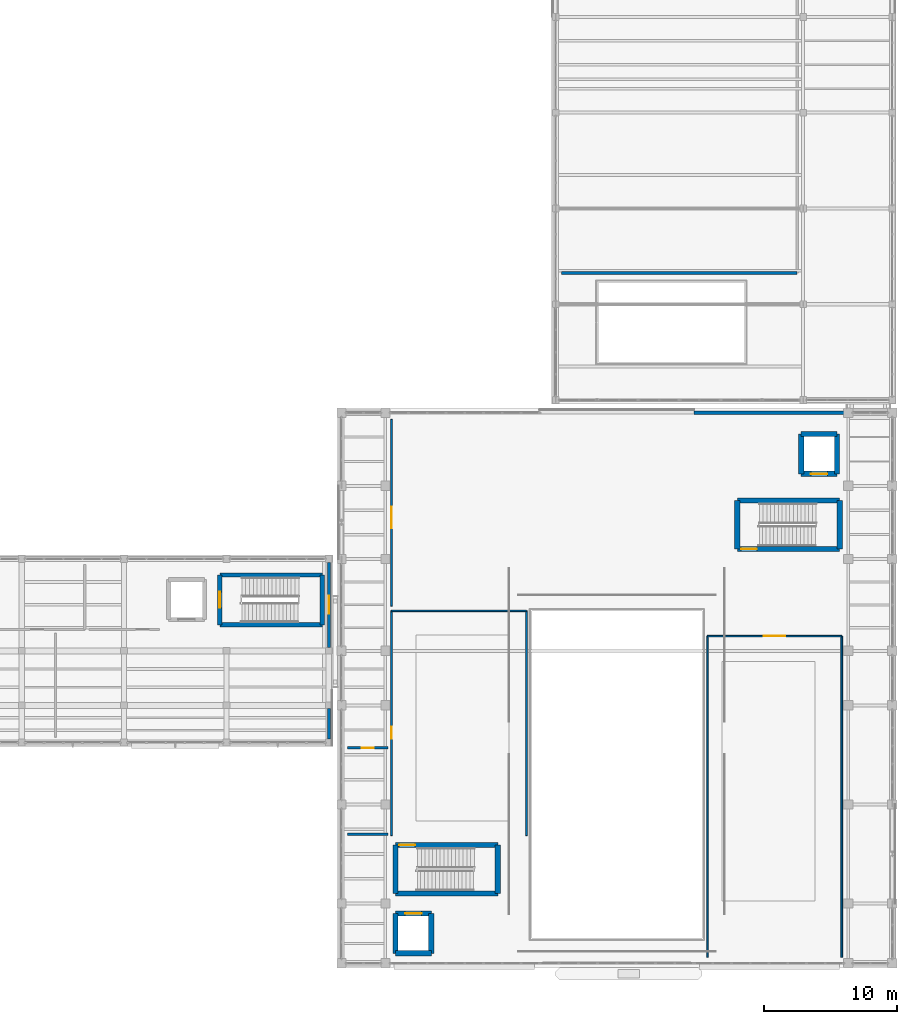
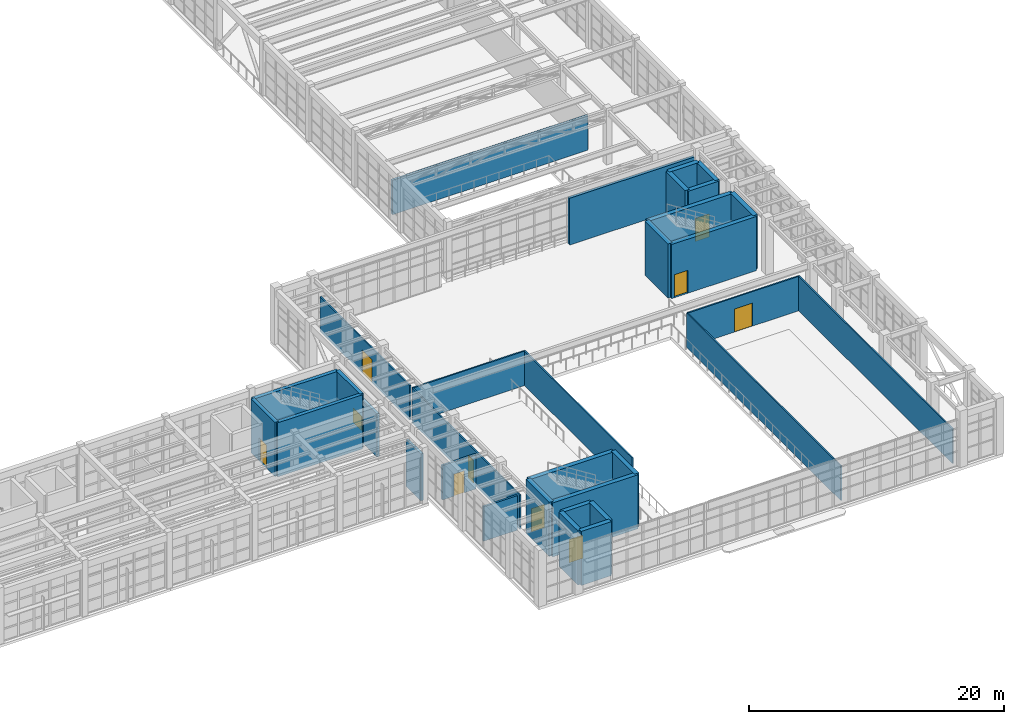
# One storey, part 92 of 103: 33 walls, 9 doors, 1 window, 10 openings.
"""IFC4 building model written with IfcOpenShell, lengths in metres."""

from ifc_helpers import new_model, si_unit, direction, frame, frame_2d, origin, place, context, subcontext, project, spatial, rectangle, extrude, material, layer, layer_set, type_object, element, fill, save


model = new_model("IFC4")

# Units and contexts
model_context = context("Model", 3, precision=1e-05, world=origin(), true_north=direction((0.0, 1.0)))
body_context = subcontext(model_context, "Body", "Model", "MODEL_VIEW")
ifc_project = project(units=[si_unit("LENGTHUNIT", "METRE"), si_unit("AREAUNIT", "SQUARE_METRE"), si_unit("VOLUMEUNIT", "CUBIC_METRE"), si_unit("PLANEANGLEUNIT", "RADIAN"), si_unit("MASSUNIT", "GRAM", prefix="KILO")], contexts=[model_context])

# Site, building, storey
site_placement = place(None, origin())
site = spatial("IfcSite", under=ifc_project, at=site_placement, CompositionType="ELEMENT")
building_placement = place(site_placement, origin())
building = spatial("IfcBuilding", under=site, at=building_placement, Name="Candilejo Ridge Gondola Terminal", CompositionType="ELEMENT")
storey_placement = place(building_placement, frame((0.0, 0.0, 9.0)))
storey = spatial("IfcBuildingStorey", under=building, at=storey_placement, Name="L02", CompositionType="ELEMENT", Elevation=9.0)

# Wall, opening, window
ifc_material_1 = material(Name="Concrete C20/25 masonry blockwork (f'm 14 MPa)", Category="masonry")
ifc_layer_1 = layer(ifc_material_1, 0.219970703125)
ifc_layer_set_1 = layer_set([ifc_layer_1], Name="ARC-EXT-WALL-220")
wall_type_1 = type_object("IfcWallType", Name="ARC-EXT-WALL-220", PredefinedType="STANDARD", material=ifc_layer_set_1)
wall_1_placement = place(storey_placement, frame((132.949951171875, 36.449951171875, 0.0), z_axis=(0.0, 0.0, 1.0), x_axis=(0.0, -1.0, 0.0)))
wall_1 = element("IfcWall", 1, at=wall_1_placement, inside=storey, type_object=wall_type_1, Name="Exterior facade wall EW-V3-L02-080", PredefinedType="STANDARD", context=body_context, shape_type="SweptSolid", body=[
    extrude(rectangle(XDim=6.39990234375, YDim=0.219970703125, at=frame_2d((3.199951171875, 0.0))), origin(), (0.0, 0.0, 1.0), 4.139892578125),
])
opening_1_placement = place(wall_1_placement, frame((2.52490234375, 0.0, 0.97998046875)))
opening_1 = element("IfcOpeningElement", 2, at=opening_1_placement, cuts=wall_1, Name="Opening WN-03C", PredefinedType="OPENING", context=body_context, shape_type="SweptSolid", body=[
    extrude(rectangle(XDim=1.35009765625, YDim=1.35009765625, at=frame_2d((0.675048828125, 0.675048828125))), frame((0.0, 0.119873046875, 0.0), z_axis=(0.0, -1.0, 0.0), x_axis=(1.0, 0.0, 0.0)), (0.0, 0.0, 1.0), 0.239990234375),
])
ifc_material_2 = material(Name="Low-E laminated double glazing 6+12A+6+1.52PVB+6 mm", Category="glass")
window_type = type_object("IfcWindowType", Name="ARC-WIN-1350X1350", PartitioningType="SINGLE_PANEL", PredefinedType="WINDOW", material=ifc_material_2)
window_placement = place(opening_1_placement, origin())
window = element("IfcWindow", 3, at=window_placement, inside=storey, type_object=window_type, Name="Window WIN-038", OverallHeight=1.35009765625, OverallWidth=1.35009765625, PartitioningType="SINGLE_PANEL", PredefinedType="WINDOW", context=body_context, shape_type="SweptSolid", body=[
    extrude(rectangle(XDim=1.35009765625, YDim=1.35009765625, at=frame_2d((0.675048828125, 0.675048828125))), frame((0.0, 0.030029296875, 0.0), z_axis=(0.0, -1.0, 0.0), x_axis=(1.0, 0.0, 0.0)), (0.0, 0.0, 1.0), 0.06005859375),
])
fill(opening_1, window)

# Walls
wall_2_placement = place(storey_placement, frame((132.949951171875, 25.449951171875, 0.0), z_axis=(0.0, 0.0, 1.0), x_axis=(0.0, -1.0, 0.0)))
element("IfcWall", 4, at=wall_2_placement, inside=storey, type_object=wall_type_1, Name="Exterior facade wall EW-V3-L02-082", PredefinedType="STANDARD", context=body_context, shape_type="SweptSolid", body=[
    extrude(rectangle(XDim=2.300048828125, YDim=0.219970703125, at=frame_2d((1.14990234375, 0.0))), origin(), (0.0, 0.0, 1.0), 4.47998046875),
])
ifc_material_3 = material(Name="Cream Guayaquil limestone ashlar masonry (f'm 14 MPa)", Category="masonry")
ifc_layer_2 = layer(ifc_material_3, 0.25)
ifc_layer_set_2 = layer_set([ifc_layer_2], Name="ARC-EXT-WALL-250")
wall_type_2 = type_object("IfcWallType", Name="ARC-EXT-WALL-250", PredefinedType="STANDARD", material=ifc_layer_set_2)
wall_3_placement = place(storey_placement, frame((160.39990234375, 47.699951171875, 0.0), z_axis=(0.0, 0.0, 1.0), x_axis=(1.0, 0.0, 0.0)))
element("IfcWall", 5, at=wall_3_placement, inside=storey, type_object=wall_type_2, Name="Exterior facade wall EW-V4-L02-001", PredefinedType="STANDARD", context=body_context, shape_type="SweptSolid", body=[
    extrude(rectangle(XDim=11.275146484375, YDim=0.25, at=frame_2d((5.6376953125, 0.0))), origin(), (0.0, 0.0, 1.0), 4.47998046875),
])

# Wall, opening, door
ifc_material_4 = material(Name="Gypsum board Type X acoustic partition (2x15.9 mm)", Category="gypsum")
ifc_layer_3 = layer(ifc_material_4, 0.125)
ifc_layer_set_3 = layer_set([ifc_layer_3], Name="ARC-PART-GYP125")
wall_type_3 = type_object("IfcWallType", Name="ARC-PART-GYP125", PredefinedType="PARTITIONING", material=ifc_layer_set_3)
wall_4_placement = place(storey_placement, frame((137.64990234375, 15.89990234375, 0.0), z_axis=(0.0, 0.0, 1.0), x_axis=(0.0, 1.0, 0.0)))
wall_4 = element("IfcWall", 6, at=wall_4_placement, inside=storey, type_object=wall_type_3, Name="Interior partition PT-V4-L02-0086", PredefinedType="PARTITIONING", context=body_context, shape_type="SweptSolid", body=[
    extrude(rectangle(XDim=16.900146484375, YDim=0.125, at=frame_2d((8.4501953125, 0.0))), origin(), (0.0, 0.0, 1.0), 3.300048828125),
])
opening_2_placement = place(wall_4_placement, frame((7.300048828125, 0.0, 0.0)))
opening_2 = element("IfcOpeningElement", 7, at=opening_2_placement, cuts=wall_4, Name="Opening ID-02", PredefinedType="OPENING", context=body_context, shape_type="SweptSolid", body=[
    extrude(rectangle(XDim=0.89990234375, YDim=2.14990234375, at=frame_2d((0.449951171875, 1.074951171875))), frame((0.0, 0.072509765625, 0.0), z_axis=(0.0, -1.0, 0.0), x_axis=(1.0, 0.0, 0.0)), (0.0, 0.0, 1.0), 0.14501953125),
])
ifc_material_5 = material(Name="Solid-core fire-rated hardwood door leaf", Category="wood")
door_type_1 = type_object("IfcDoorType", Name="ARC-DOOR-INT-0900", OperationType="NOTDEFINED", PredefinedType="DOOR", material=ifc_material_5)
door_1_placement = place(opening_2_placement, origin())
door_1 = element("IfcDoor", 8, at=door_1_placement, inside=storey, type_object=door_type_1, Name="Interior door IDR-0049 (213)", OperationType="SINGLE_SWING_LEFT", OverallHeight=2.14990234375, OverallWidth=0.89990234375, PredefinedType="DOOR", context=body_context, shape_type="SweptSolid", body=[
    extrude(rectangle(XDim=0.89990234375, YDim=2.14990234375, at=frame_2d((0.449951171875, 1.074951171875))), frame((0.0, 0.02490234375, 0.0), z_axis=(0.0, -1.0, 0.0), x_axis=(1.0, 0.0, 0.0)), (0.0, 0.0, 1.0), 0.050048828125),
])
fill(opening_2, door_1)

# Walls
wall_5_placement = place(storey_placement, frame((147.800048828125, 15.89990234375, 0.0), z_axis=(0.0, 0.0, 1.0), x_axis=(0.0, 1.0, 0.0)))
element("IfcWall", 9, at=wall_5_placement, inside=storey, type_object=wall_type_3, Name="Interior partition PT-V4-L02-0087", PredefinedType="PARTITIONING", context=body_context, shape_type="SweptSolid", body=[
    extrude(rectangle(XDim=16.900146484375, YDim=0.125, at=frame_2d((8.4501953125, 0.0))), origin(), (0.0, 0.0, 1.0), 3.300048828125),
])
wall_6_placement = place(storey_placement, frame((137.64990234375, 32.800048828125, 0.0), z_axis=(0.0, 0.0, 1.0), x_axis=(1.0, 0.0, 0.0)))
element("IfcWall", 10, at=wall_6_placement, inside=storey, type_object=wall_type_3, Name="Interior partition PT-V4-L02-0088", PredefinedType="PARTITIONING", context=body_context, shape_type="SweptSolid", body=[
    extrude(rectangle(XDim=10.150146484375, YDim=0.125, at=frame_2d((5.0751953125, 0.0))), origin(), (0.0, 0.0, 1.0), 3.300048828125),
])

# Wall, opening, door
wall_7_placement = place(storey_placement, frame((161.39990234375, 30.89990234375, 0.0), z_axis=(0.0, 0.0, 1.0), x_axis=(1.0, 0.0, 0.0)))
wall_7 = element("IfcWall", 11, at=wall_7_placement, inside=storey, type_object=wall_type_3, Name="Interior partition PT-V4-L02-0089", PredefinedType="PARTITIONING", context=body_context, shape_type="SweptSolid", body=[
    extrude(rectangle(XDim=10.10009765625, YDim=0.125, at=frame_2d((5.050048828125, 0.0))), origin(), (0.0, 0.0, 1.0), 3.300048828125),
])
opening_3_placement = place(wall_7_placement, frame((4.25, 0.0, 0.0)))
opening_3 = element("IfcOpeningElement", 12, at=opening_3_placement, cuts=wall_7, Name="Opening ID-03", PredefinedType="OPENING", context=body_context, shape_type="SweptSolid", body=[
    extrude(rectangle(XDim=1.60009765625, YDim=2.199951171875, at=frame_2d((0.800048828125, 1.10009765625))), frame((0.0, 0.072509765625, 0.0), z_axis=(0.0, -1.0, 0.0), x_axis=(1.0, 0.0, 0.0)), (0.0, 0.0, 1.0), 0.14501953125),
])
ifc_material_6 = material(Name="Solid-core fire-rated hardwood door leaf", Category="wood")
door_type_2 = type_object("IfcDoorType", Name="ARC-DOOR-DBL-1600", OperationType="NOTDEFINED", PredefinedType="DOOR", material=ifc_material_6)
door_2_placement = place(opening_3_placement, origin())
door_2 = element("IfcDoor", 13, at=door_2_placement, inside=storey, type_object=door_type_2, Name="Interior door IDR-0050 (214)", OperationType="DOUBLE_DOOR_SINGLE_SWING", OverallHeight=2.199951171875, OverallWidth=1.60009765625, PredefinedType="DOOR", context=body_context, shape_type="SweptSolid", body=[
    extrude(rectangle(XDim=1.60009765625, YDim=2.199951171875, at=frame_2d((0.800048828125, 1.10009765625))), frame((0.0, 0.02490234375, 0.0), z_axis=(0.0, -1.0, 0.0), x_axis=(1.0, 0.0, 0.0)), (0.0, 0.0, 1.0), 0.050048828125),
])
fill(opening_3, door_2)

# Walls
for number, where, z_axis, x_axis, name in (
    (14, (161.39990234375, 6.75, 0.0), (0.0, 0.0, 1.0), (0.0, 1.0, 0.0), "Interior partition PT-V4-L02-0090"),
    (15, (171.5, 6.75, 0.0), (0.0, 0.0, 1.0), (0.0, 1.0, 0.0), "Interior partition PT-V4-L02-0091"),
):
    element("IfcWall", number, at=place(storey_placement, frame(where, z_axis=z_axis, x_axis=x_axis)), inside=storey, type_object=wall_type_3, Name=name, PredefinedType="PARTITIONING", context=body_context, shape_type="SweptSolid", body=[
        extrude(rectangle(XDim=24.14990234375, YDim=0.125, at=frame_2d((12.074951171875, 0.0))), origin(), (0.0, 0.0, 1.0), 3.300048828125),
    ])

# Wall, opening, door
wall_8_placement = place(storey_placement, frame((137.64990234375, 33.14990234375, 0.0), z_axis=(0.0, 0.0, 1.0), x_axis=(0.0, 1.0, 0.0)))
wall_8 = element("IfcWall", 16, at=wall_8_placement, inside=storey, type_object=wall_type_3, Name="Interior partition PT-V4-L02-0092", PredefinedType="PARTITIONING", context=body_context, shape_type="SweptSolid", body=[
    extrude(rectangle(XDim=14.050048828125, YDim=0.125, at=frame_2d((7.02490234375, 0.0))), origin(), (0.0, 0.0, 1.0), 3.300048828125),
])
opening_4_placement = place(wall_8_placement, frame((5.875, 0.0, 0.0)))
opening_4 = element("IfcOpeningElement", 17, at=opening_4_placement, cuts=wall_8, Name="Opening ID-03", PredefinedType="OPENING", context=body_context, shape_type="SweptSolid", body=[
    extrude(rectangle(XDim=1.60009765625, YDim=2.199951171875, at=frame_2d((0.800048828125, 1.10009765625))), frame((0.0, 0.072509765625, 0.0), z_axis=(0.0, -1.0, 0.0), x_axis=(1.0, 0.0, 0.0)), (0.0, 0.0, 1.0), 0.14501953125),
])
door_3_placement = place(opening_4_placement, origin())
door_3 = element("IfcDoor", 18, at=door_3_placement, inside=storey, type_object=door_type_2, Name="Interior door IDR-0051 (215)", OperationType="DOUBLE_DOOR_SINGLE_SWING", OverallHeight=2.199951171875, OverallWidth=1.60009765625, PredefinedType="DOOR", context=body_context, shape_type="SweptSolid", body=[
    extrude(rectangle(XDim=1.60009765625, YDim=2.199951171875, at=frame_2d((0.800048828125, 1.10009765625))), frame((0.0, 0.02490234375, 0.0), z_axis=(0.0, -1.0, 0.0), x_axis=(1.0, 0.0, 0.0)), (0.0, 0.0, 1.0), 0.050048828125),
])
fill(opening_4, door_3)

# Wall
ifc_material_7 = material(Name="Concrete C20/25 masonry blockwork (f'm 14 MPa)", Category="masonry")
ifc_layer_4 = layer(ifc_material_7, 0.199951171875)
ifc_layer_set_4 = layer_set([ifc_layer_4], Name="ARC-WALL-CMU200-EI120")
wall_type_4 = type_object("IfcWallType", Name="ARC-WALL-CMU200-EI120", PredefinedType="SOLIDWALL", material=ifc_layer_set_4)
wall_9_placement = place(storey_placement, frame((150.449951171875, 58.199951171875, 0.0), z_axis=(0.0, 0.0, 1.0), x_axis=(1.0, 0.0, 0.0)))
element("IfcWall", 19, at=wall_9_placement, inside=storey, type_object=wall_type_4, Name="Interior partition PT-V5-L02-0096", PredefinedType="SOLIDWALL", context=body_context, shape_type="SweptSolid", body=[
    extrude(rectangle(XDim=17.699951171875, YDim=0.199951171875, at=frame_2d((8.85009765625, 0.0))), origin(), (0.0, 0.0, 1.0), 3.300048828125),
])

# Wall, opening, door
ifc_material_8 = material(Name="Concrete C20/25 masonry blockwork (f'm 14 MPa)", Category="masonry")
ifc_layer_5 = layer(ifc_material_8, 0.179931640625)
ifc_layer_set_5 = layer_set([ifc_layer_5], Name="ARC-WALL-PLUMBING-180")
wall_type_5 = type_object("IfcWallType", Name="ARC-WALL-PLUMBING-180", PredefinedType="PLUMBINGWALL", material=ifc_layer_set_5)
wall_10_placement = place(storey_placement, frame((134.35009765625, 22.5, 0.0), z_axis=(0.0, 0.0, 1.0), x_axis=(1.0, 0.0, 0.0)))
wall_10 = element("IfcWall", 20, at=wall_10_placement, inside=storey, type_object=wall_type_5, Name="Interior partition PT-V4-L02-0093", PredefinedType="PLUMBINGWALL", context=body_context, shape_type="SweptSolid", body=[
    extrude(rectangle(XDim=3.0498046875, YDim=0.179931640625, at=frame_2d((1.52490234375, 0.0))), origin(), (0.0, 0.0, 1.0), 3.300048828125),
])
opening_5_placement = place(wall_10_placement, frame((1.06494140625, 0.0, 0.0)))
opening_5 = element("IfcOpeningElement", 21, at=opening_5_placement, cuts=wall_10, Name="Opening ID-04A", PredefinedType="OPENING", context=body_context, shape_type="SweptSolid", body=[
    extrude(rectangle(XDim=0.919921875, YDim=2.10009765625, at=frame_2d((0.4599609375, 1.050048828125))), frame((0.0, 0.099853515625, 0.0), z_axis=(0.0, -1.0, 0.0), x_axis=(1.0, 0.0, 0.0)), (0.0, 0.0, 1.0), 0.199951171875),
])
ifc_material_9 = material(Name="Solid-core fire-rated hardwood door leaf", Category="wood")
door_type_3 = type_object("IfcDoorType", Name="ARC-DOOR-WC-0920", OperationType="NOTDEFINED", PredefinedType="DOOR", material=ifc_material_9)
door_4_placement = place(opening_5_placement, origin())
door_4 = element("IfcDoor", 22, at=door_4_placement, inside=storey, type_object=door_type_3, Name="Interior door IDR-0052 (216)", OperationType="SINGLE_SWING_RIGHT", OverallHeight=2.10009765625, OverallWidth=0.919921875, PredefinedType="DOOR", context=body_context, shape_type="SweptSolid", body=[
    extrude(rectangle(XDim=0.919921875, YDim=2.10009765625, at=frame_2d((0.4599609375, 1.050048828125))), frame((0.0, 0.02490234375, 0.0), z_axis=(0.0, -1.0, 0.0), x_axis=(1.0, 0.0, 0.0)), (0.0, 0.0, 1.0), 0.050048828125),
])
fill(opening_5, door_4)

# Walls
wall_11_placement = place(storey_placement, frame((134.35009765625, 16.0, 0.0), z_axis=(0.0, 0.0, 1.0), x_axis=(1.0, 0.0, 0.0)))
element("IfcWall", 23, at=wall_11_placement, inside=storey, type_object=wall_type_5, Name="Interior partition PT-V4-L02-0094", PredefinedType="PLUMBINGWALL", context=body_context, shape_type="SweptSolid", body=[
    extrude(rectangle(XDim=3.0498046875, YDim=0.179931640625, at=frame_2d((1.52490234375, 0.0))), origin(), (0.0, 0.0, 1.0), 3.300048828125),
])
ifc_material_10 = material(Name="Concrete f'c 35 MPa (C35/45)", Category="concrete")
ifc_layer_6 = layer(ifc_material_10, 0.324951171875)
ifc_layer_set_6 = layer_set([ifc_layer_6], Name="STR-CORE-WALL-325")
wall_type_6 = type_object("IfcWallType", Name="STR-CORE-WALL-325", PredefinedType="SHEAR", material=ifc_layer_set_6)
for number, where, z_axis, x_axis, name in (
    (24, (124.75, 31.75, 0.0), (0.0, 0.0, 1.0), (1.0, 0.0, 0.0), "Core stair shear wall SW-C-V3B-L02-ST-S"),
    (25, (132.449951171875, 35.5, 0.0), (0.0, 0.0, 1.0), (-1.0, 0.0, 0.0), "Core stair shear wall SW-C-V3B-L02-ST-N"),
):
    element("IfcWall", number, at=place(storey_placement, frame(where, z_axis=z_axis, x_axis=x_axis)), inside=storey, type_object=wall_type_6, Name=name, PredefinedType="SHEAR", context=body_context, shape_type="SweptSolid", body=[
        extrude(rectangle(XDim=7.699951171875, YDim=0.324951171875, at=frame_2d((3.85009765625, 0.0))), origin(), (0.0, 0.0, 1.0), 5.175048828125),
    ])

# Wall, opening, door
wall_12_placement = place(storey_placement, frame((124.75, 35.5, 0.0), z_axis=(0.0, 0.0, 1.0), x_axis=(0.0, -1.0, 0.0)))
wall_12 = element("IfcWall", 26, at=wall_12_placement, inside=storey, type_object=wall_type_6, Name="Core stair shear wall SW-C-V3B-L02-ST-W", PredefinedType="SHEAR", context=body_context, shape_type="SweptSolid", body=[
    extrude(rectangle(XDim=3.75, YDim=0.324951171875, at=frame_2d((1.875, 0.0))), origin(), (0.0, 0.0, 1.0), 5.175048828125),
])
opening_6_placement = place(wall_12_placement, frame((1.27490234375, 0.0, 0.0)))
opening_6 = element("IfcOpeningElement", 27, at=opening_6_placement, cuts=wall_12, Name="Opening FD-01", PredefinedType="OPENING", context=body_context, shape_type="SweptSolid", body=[
    extrude(rectangle(XDim=1.199951171875, YDim=2.199951171875, at=frame_2d((0.60009765625, 1.10009765625))), frame((0.0, 0.17236328125, 0.0), z_axis=(0.0, -1.0, 0.0), x_axis=(1.0, 0.0, 0.0)), (0.0, 0.0, 1.0), 0.344970703125),
])
ifc_material_11 = material(Name="Steel ASTM A653 Grade 33 hollow-metal door", Category="steel")
door_type_4 = type_object("IfcDoorType", Name="ARC-DOOR-FD90-1200", OperationType="NOTDEFINED", PredefinedType="DOOR", material=ifc_material_11)
door_5_placement = place(opening_6_placement, origin())
door_5 = element("IfcDoor", 28, at=door_5_placement, inside=storey, type_object=door_type_4, Name="Fire stair door SDR-022", OperationType="SINGLE_SWING_RIGHT", OverallHeight=2.199951171875, OverallWidth=1.199951171875, PredefinedType="DOOR", context=body_context, shape_type="SweptSolid", body=[
    extrude(rectangle(XDim=1.199951171875, YDim=2.199951171875, at=frame_2d((0.60009765625, 1.10009765625))), frame((0.0, 0.02490234375, 0.0), z_axis=(0.0, -1.0, 0.0), x_axis=(1.0, 0.0, 0.0)), (0.0, 0.0, 1.0), 0.050048828125),
])
fill(opening_6, door_5)

# Walls
wall_13_placement = place(storey_placement, frame((132.449951171875, 31.75, 0.0), z_axis=(0.0, 0.0, 1.0), x_axis=(0.0, 1.0, 0.0)))
element("IfcWall", 29, at=wall_13_placement, inside=storey, type_object=wall_type_6, Name="Core stair shear wall SW-C-V3B-L02-ST-E", PredefinedType="SHEAR", context=body_context, shape_type="SweptSolid", body=[
    extrude(rectangle(XDim=3.75, YDim=0.324951171875, at=frame_2d((1.875, 0.0))), origin(), (0.0, 0.0, 1.0), 5.175048828125),
])
ifc_material_12 = material(Name="Concrete f'c 35 MPa (C35/45)", Category="concrete")
ifc_layer_7 = layer(ifc_material_12, 0.39990234375)
ifc_layer_set_7 = layer_set([ifc_layer_7], Name="STR-CORE-WALL-400")
wall_type_7 = type_object("IfcWallType", Name="STR-CORE-WALL-400", PredefinedType="SHEAR", material=ifc_layer_set_7)
wall_14_placement = place(storey_placement, frame((137.949951171875, 11.550048828125, 0.0), z_axis=(0.0, 0.0, 1.0), x_axis=(1.0, 0.0, 0.0)))
element("IfcWall", 30, at=wall_14_placement, inside=storey, type_object=wall_type_7, Name="Core stair shear wall SW-C-V4A-L02-ST-S", PredefinedType="SHEAR", context=body_context, shape_type="SweptSolid", body=[
    extrude(rectangle(XDim=7.699951171875, YDim=0.39990234375, at=frame_2d((3.85009765625, 0.0))), origin(), (0.0, 0.0, 1.0), 5.175048828125),
])

# Wall, opening, door
wall_15_placement = place(storey_placement, frame((145.64990234375, 15.199951171875, 0.0), z_axis=(0.0, 0.0, 1.0), x_axis=(-1.0, 0.0, 0.0)))
wall_15 = element("IfcWall", 31, at=wall_15_placement, inside=storey, type_object=wall_type_7, Name="Core stair shear wall SW-C-V4A-L02-ST-N", PredefinedType="SHEAR", context=body_context, shape_type="SweptSolid", body=[
    extrude(rectangle(XDim=7.699951171875, YDim=0.39990234375, at=frame_2d((3.85009765625, 0.0))), origin(), (0.0, 0.0, 1.0), 5.175048828125),
])
opening_7_placement = place(wall_15_placement, frame((6.219970703125, 0.0, 0.0)))
opening_7 = element("IfcOpeningElement", 32, at=opening_7_placement, cuts=wall_15, Name="Opening FD-01", PredefinedType="OPENING", context=body_context, shape_type="SweptSolid", body=[
    extrude(rectangle(XDim=1.199951171875, YDim=2.199951171875, at=frame_2d((0.60009765625, 1.10009765625))), frame((0.0, 0.2099609375, 0.0), z_axis=(0.0, -1.0, 0.0), x_axis=(1.0, 0.0, 0.0)), (0.0, 0.0, 1.0), 0.419921875),
])
door_6_placement = place(opening_7_placement, origin())
door_6 = element("IfcDoor", 33, at=door_6_placement, inside=storey, type_object=door_type_4, Name="Fire stair door SDR-027", OperationType="SINGLE_SWING_LEFT", OverallHeight=2.199951171875, OverallWidth=1.199951171875, PredefinedType="DOOR", context=body_context, shape_type="SweptSolid", body=[
    extrude(rectangle(XDim=1.199951171875, YDim=2.199951171875, at=frame_2d((0.60009765625, 1.10009765625))), frame((0.0, 0.02490234375, 0.0), z_axis=(0.0, -1.0, 0.0), x_axis=(1.0, 0.0, 0.0)), (0.0, 0.0, 1.0), 0.050048828125),
])
fill(opening_7, door_6)

# Walls
for number, where, z_axis, x_axis, name in (
    (34, (137.949951171875, 15.199951171875, 0.0), (0.0, 0.0, 1.0), (0.0, -1.0, 0.0), "Core stair shear wall SW-C-V4A-L02-ST-W"),
    (35, (145.64990234375, 11.550048828125, 0.0), (0.0, 0.0, 1.0), (0.0, 1.0, 0.0), "Core stair shear wall SW-C-V4A-L02-ST-E"),
):
    element("IfcWall", number, at=place(storey_placement, frame(where, z_axis=z_axis, x_axis=x_axis)), inside=storey, type_object=wall_type_7, Name=name, PredefinedType="SHEAR", context=body_context, shape_type="SweptSolid", body=[
        extrude(rectangle(XDim=3.64990234375, YDim=0.39990234375, at=frame_2d((1.824951171875, 0.0))), origin(), (0.0, 0.0, 1.0), 5.175048828125),
    ])
wall_16_placement = place(storey_placement, frame((137.949951171875, 7.050048828125, 0.0), z_axis=(0.0, 0.0, 1.0), x_axis=(1.0, 0.0, 0.0)))
element("IfcWall", 36, at=wall_16_placement, inside=storey, type_object=wall_type_7, Name="Lift shaft shear wall SW-C-V4A-L02-LF-S", PredefinedType="SHEAR", context=body_context, shape_type="SweptSolid", body=[
    extrude(rectangle(XDim=2.699951171875, YDim=0.39990234375, at=frame_2d((1.35009765625, 0.0))), origin(), (0.0, 0.0, 1.0), 5.175048828125),
])

# Wall, opening, door
wall_17_placement = place(storey_placement, frame((137.949951171875, 10.050048828125, 0.0), z_axis=(0.0, 0.0, 1.0), x_axis=(1.0, 0.0, 0.0)))
wall_17 = element("IfcWall", 37, at=wall_17_placement, inside=storey, type_object=wall_type_7, Name="Lift shaft shear wall SW-C-V4A-L02-LF-N", PredefinedType="SHEAR", context=body_context, shape_type="SweptSolid", body=[
    extrude(rectangle(XDim=2.699951171875, YDim=0.39990234375, at=frame_2d((1.35009765625, 0.0))), origin(), (0.0, 0.0, 1.0), 5.175048828125),
])
opening_8_placement = place(wall_17_placement, frame((0.72509765625, 0.0, 0.0)))
opening_8 = element("IfcOpeningElement", 38, at=opening_8_placement, cuts=wall_17, Name="Opening LD-01B", PredefinedType="OPENING", context=body_context, shape_type="SweptSolid", body=[
    extrude(rectangle(XDim=1.25, YDim=2.199951171875, at=frame_2d((0.625, 1.10009765625))), frame((0.0, 0.2099609375, 0.0), z_axis=(0.0, -1.0, 0.0), x_axis=(1.0, 0.0, 0.0)), (0.0, 0.0, 1.0), 0.419921875),
])
ifc_material_13 = material(Name="Brushed stainless steel AISI 316", Category="steel")
door_type_5 = type_object("IfcDoorType", Name="ARC-LIFT-DOOR-1250", OperationType="NOTDEFINED", PredefinedType="DOOR", material=ifc_material_13)
door_7_placement = place(opening_8_placement, origin())
door_7 = element("IfcDoor", 39, at=door_7_placement, inside=storey, type_object=door_type_5, Name="Elevator landing door LDR-027", OperationType="SLIDING_TO_LEFT", OverallHeight=2.199951171875, OverallWidth=1.25, PredefinedType="DOOR", context=body_context, shape_type="SweptSolid", body=[
    extrude(rectangle(XDim=1.25, YDim=2.199951171875, at=frame_2d((0.625, 1.10009765625))), frame((0.0, 0.02490234375, 0.0), z_axis=(0.0, -1.0, 0.0), x_axis=(1.0, 0.0, 0.0)), (0.0, 0.0, 1.0), 0.050048828125),
])
fill(opening_8, door_7)

# Walls
for number, where, z_axis, x_axis, name in (
    (40, (137.949951171875, 7.050048828125, 0.0), (0.0, 0.0, 1.0), (0.0, 1.0, 0.0), "Lift shaft shear wall SW-C-V4A-L02-LF-W"),
    (41, (140.64990234375, 7.050048828125, 0.0), (0.0, 0.0, 1.0), (0.0, 1.0, 0.0), "Lift shaft shear wall SW-C-V4A-L02-LF-E"),
):
    element("IfcWall", number, at=place(storey_placement, frame(where, z_axis=z_axis, x_axis=x_axis)), inside=storey, type_object=wall_type_7, Name=name, PredefinedType="SHEAR", context=body_context, shape_type="SweptSolid", body=[
        extrude(rectangle(XDim=3.0, YDim=0.39990234375, at=frame_2d((1.5, 0.0))), origin(), (0.0, 0.0, 1.0), 5.175048828125),
    ])

# Wall, opening, door
wall_18_placement = place(storey_placement, frame((163.64990234375, 37.449951171875, 0.0), z_axis=(0.0, 0.0, 1.0), x_axis=(1.0, 0.0, 0.0)))
wall_18 = element("IfcWall", 42, at=wall_18_placement, inside=storey, type_object=wall_type_7, Name="Core stair shear wall SW-C-V4B-L02-ST-S", PredefinedType="SHEAR", context=body_context, shape_type="SweptSolid", body=[
    extrude(rectangle(XDim=7.7001953125, YDim=0.39990234375, at=frame_2d((3.85009765625, 0.0))), origin(), (0.0, 0.0, 1.0), 5.175048828125),
])
opening_9_placement = place(wall_18_placement, frame((0.280029296875, 0.0, 0.0)))
opening_9 = element("IfcOpeningElement", 43, at=opening_9_placement, cuts=wall_18, Name="Opening FD-01", PredefinedType="OPENING", context=body_context, shape_type="SweptSolid", body=[
    extrude(rectangle(XDim=1.199951171875, YDim=2.199951171875, at=frame_2d((0.60009765625, 1.10009765625))), frame((0.0, 0.2099609375, 0.0), z_axis=(0.0, -1.0, 0.0), x_axis=(1.0, 0.0, 0.0)), (0.0, 0.0, 1.0), 0.419921875),
])
door_8_placement = place(opening_9_placement, origin())
door_8 = element("IfcDoor", 44, at=door_8_placement, inside=storey, type_object=door_type_4, Name="Fire stair door SDR-031", OperationType="SINGLE_SWING_LEFT", OverallHeight=2.199951171875, OverallWidth=1.199951171875, PredefinedType="DOOR", context=body_context, shape_type="SweptSolid", body=[
    extrude(rectangle(XDim=1.199951171875, YDim=2.199951171875, at=frame_2d((0.60009765625, 1.10009765625))), frame((0.0, 0.02490234375, 0.0), z_axis=(0.0, -1.0, 0.0), x_axis=(1.0, 0.0, 0.0)), (0.0, 0.0, 1.0), 0.050048828125),
])
fill(opening_9, door_8)

# Walls
wall_19_placement = place(storey_placement, frame((171.35009765625, 41.10009765625, 0.0), z_axis=(0.0, 0.0, 1.0), x_axis=(-1.0, 0.0, 0.0)))
element("IfcWall", 45, at=wall_19_placement, inside=storey, type_object=wall_type_7, Name="Core stair shear wall SW-C-V4B-L02-ST-N", PredefinedType="SHEAR", context=body_context, shape_type="SweptSolid", body=[
    extrude(rectangle(XDim=7.7001953125, YDim=0.39990234375, at=frame_2d((3.85009765625, 0.0))), origin(), (0.0, 0.0, 1.0), 5.175048828125),
])
for number, where, z_axis, x_axis, name in (
    (46, (163.64990234375, 41.10009765625, 0.0), (0.0, 0.0, 1.0), (0.0, -1.0, 0.0), "Core stair shear wall SW-C-V4B-L02-ST-W"),
    (47, (171.35009765625, 37.449951171875, 0.0), (0.0, 0.0, 1.0), (0.0, 1.0, 0.0), "Core stair shear wall SW-C-V4B-L02-ST-E"),
):
    element("IfcWall", number, at=place(storey_placement, frame(where, z_axis=z_axis, x_axis=x_axis)), inside=storey, type_object=wall_type_7, Name=name, PredefinedType="SHEAR", context=body_context, shape_type="SweptSolid", body=[
        extrude(rectangle(XDim=3.650146484375, YDim=0.39990234375, at=frame_2d((1.8251953125, 0.0))), origin(), (0.0, 0.0, 1.0), 5.175048828125),
    ])

# Wall, opening, door
wall_20_placement = place(storey_placement, frame((168.449951171875, 43.10009765625, 0.0), z_axis=(0.0, 0.0, 1.0), x_axis=(1.0, 0.0, 0.0)))
wall_20 = element("IfcWall", 48, at=wall_20_placement, inside=storey, type_object=wall_type_7, Name="Lift shaft shear wall SW-C-V4B-L02-LF-S", PredefinedType="SHEAR", context=body_context, shape_type="SweptSolid", body=[
    extrude(rectangle(XDim=2.699951171875, YDim=0.39990234375, at=frame_2d((1.35009765625, 0.0))), origin(), (0.0, 0.0, 1.0), 5.175048828125),
])
opening_10_placement = place(wall_20_placement, frame((0.72509765625, 0.0, 0.0)))
opening_10 = element("IfcOpeningElement", 49, at=opening_10_placement, cuts=wall_20, Name="Opening LD-01B", PredefinedType="OPENING", context=body_context, shape_type="SweptSolid", body=[
    extrude(rectangle(XDim=1.25, YDim=2.199951171875, at=frame_2d((0.625, 1.10009765625))), frame((0.0, 0.2099609375, 0.0), z_axis=(0.0, -1.0, 0.0), x_axis=(1.0, 0.0, 0.0)), (0.0, 0.0, 1.0), 0.419921875),
])
door_9_placement = place(opening_10_placement, origin())
door_9 = element("IfcDoor", 50, at=door_9_placement, inside=storey, type_object=door_type_5, Name="Elevator landing door LDR-031", OperationType="SLIDING_TO_LEFT", OverallHeight=2.199951171875, OverallWidth=1.25, PredefinedType="DOOR", context=body_context, shape_type="SweptSolid", body=[
    extrude(rectangle(XDim=1.25, YDim=2.199951171875, at=frame_2d((0.625, 1.10009765625))), frame((0.0, 0.02490234375, 0.0), z_axis=(0.0, -1.0, 0.0), x_axis=(1.0, 0.0, 0.0)), (0.0, 0.0, 1.0), 0.050048828125),
])
fill(opening_10, door_9)

# Walls
wall_21_placement = place(storey_placement, frame((168.449951171875, 46.10009765625, 0.0), z_axis=(0.0, 0.0, 1.0), x_axis=(1.0, 0.0, 0.0)))
element("IfcWall", 51, at=wall_21_placement, inside=storey, type_object=wall_type_7, Name="Lift shaft shear wall SW-C-V4B-L02-LF-N", PredefinedType="SHEAR", context=body_context, shape_type="SweptSolid", body=[
    extrude(rectangle(XDim=2.699951171875, YDim=0.39990234375, at=frame_2d((1.35009765625, 0.0))), origin(), (0.0, 0.0, 1.0), 5.175048828125),
])
for number, where, z_axis, x_axis, name in (
    (52, (168.449951171875, 43.10009765625, 0.0), (0.0, 0.0, 1.0), (0.0, 1.0, 0.0), "Lift shaft shear wall SW-C-V4B-L02-LF-W"),
    (53, (171.14990234375, 43.10009765625, 0.0), (0.0, 0.0, 1.0), (0.0, 1.0, 0.0), "Lift shaft shear wall SW-C-V4B-L02-LF-E"),
):
    element("IfcWall", number, at=place(storey_placement, frame(where, z_axis=z_axis, x_axis=x_axis)), inside=storey, type_object=wall_type_7, Name=name, PredefinedType="SHEAR", context=body_context, shape_type="SweptSolid", body=[
        extrude(rectangle(XDim=3.0, YDim=0.39990234375, at=frame_2d((1.5, 0.0))), origin(), (0.0, 0.0, 1.0), 5.175048828125),
    ])

save(model, "model.ifc")
